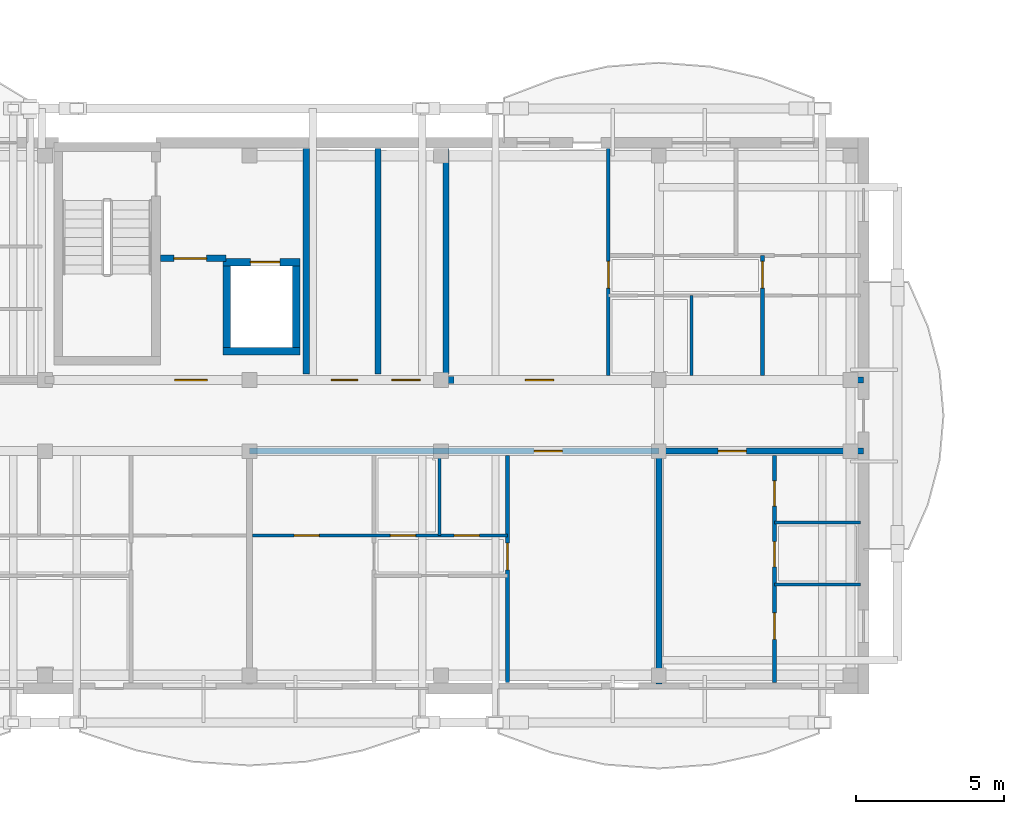
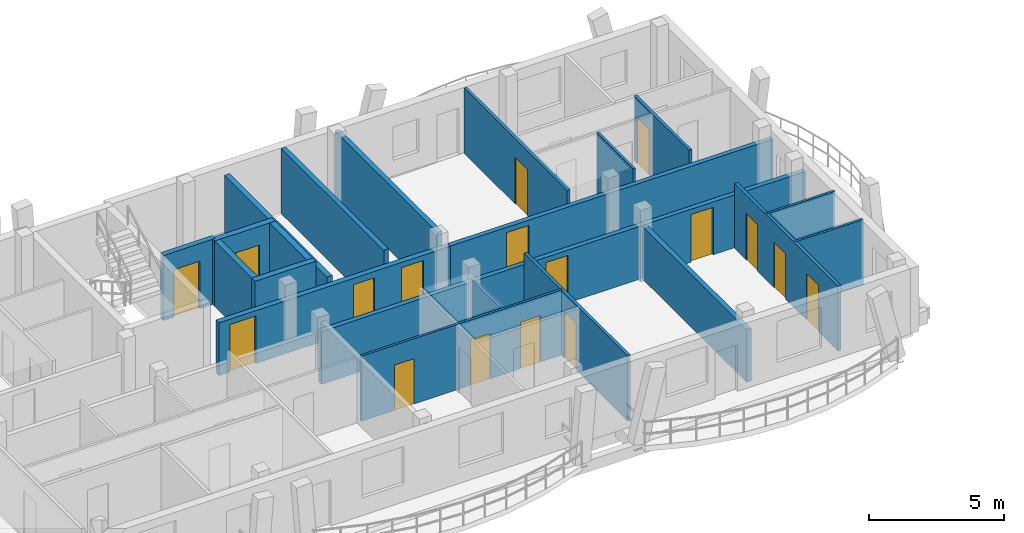
# One storey, part 18 of 48: 22 walls, 17 doors, 17 openings.
"""IFC4 building model written with IfcOpenShell, lengths in metres."""

from ifc_helpers import new_model, si_unit, direction, frame, frame_2d, origin, origin_with_axes, place, context, subcontext, project, spatial, rectangle, extrude, material, layer, layer_set, type_object, element, fill, save


model = new_model("IFC4")

# Units and contexts
model_context = context("Model", 3, precision=1e-05, world=origin(), true_north=direction((0.0, 1.0)))
body_context = subcontext(model_context, "Body", "Model", "MODEL_VIEW")
ifc_project = project(units=[si_unit("LENGTHUNIT", "METRE"), si_unit("AREAUNIT", "SQUARE_METRE"), si_unit("VOLUMEUNIT", "CUBIC_METRE"), si_unit("PLANEANGLEUNIT", "RADIAN"), si_unit("MASSUNIT", "GRAM", prefix="KILO")], contexts=[model_context])

# Site, building, storey
site_placement = place(None, origin())
site = spatial("IfcSite", under=ifc_project, at=site_placement, CompositionType="ELEMENT")
building_placement = place(site_placement, origin())
building = spatial("IfcBuilding", under=site, at=building_placement, Name="Zavelmont Quarter", CompositionType="ELEMENT")
storey_placement = place(building_placement, frame((0.0, 0.0, 17.60009765625)))
storey = spatial("IfcBuildingStorey", under=building, at=storey_placement, Name="L05", CompositionType="ELEMENT", Elevation=17.60009765625)

# Walls
ifc_material_1 = material(Name="Calcium-silicate blockwork and acoustic plaster", Category="masonry")
ifc_layer_1 = layer(ifc_material_1, 0.199951171875)
ifc_layer_set_1 = layer_set([ifc_layer_1], Name="Calcium-silicate blockwork and acoustic plaster")
wall_type_1 = type_object("IfcWallType", Name="IW01", PredefinedType="PARTITIONING", material=ifc_layer_set_1)
for number, where, z_axis, x_axis, name in (
    (1, (38.824951171875, 10.60009765625, 0.0), (0.0, 0.0, 1.0), (0.0, 1.0, 0.0), "L05 Service riser divider wall IW01"),
    (2, (41.1201171875, 10.60009765625, 0.0), (0.0, 0.0, 1.0), (0.0, 1.0, 0.0), "L05 Core service end wall IW01"),
):
    element("IfcWall", number, at=place(storey_placement, frame(where, z_axis=z_axis, x_axis=x_axis)), inside=storey, type_object=wall_type_1, Name=name, PredefinedType="PARTITIONING", context=body_context, shape_type="SweptSolid", body=[
        extrude(rectangle(XDim=7.599853515625, YDim=0.199951171875, at=frame_2d((3.7998046875, 0.0))), origin(), (0.0, 0.0, 1.0), 2.949951171875),
    ])
wall_1_placement = place(storey_placement, frame((48.300048828125, 7.85009765625, 0.0), z_axis=(0.0, 0.0, 1.0), x_axis=(0.0, -1.0, 0.0)))
element("IfcWall", 3, at=wall_1_placement, inside=storey, type_object=wall_type_1, Name="L05 Inter-dwelling compartment wall IW01", PredefinedType="PARTITIONING", context=body_context, shape_type="SweptSolid", body=[
    extrude(rectangle(XDim=7.7001953125, YDim=0.199951171875, at=frame_2d((3.85009765625, 0.0))), origin(), (0.0, 0.0, 1.0), 2.389892578125),
])

# Wall, opening, door
wall_2_placement = place(storey_placement, frame((34.5, 8.0, 0.0), z_axis=(0.0, 0.0, 1.0), x_axis=(1.0, 0.0, 0.0)))
wall_2 = element("IfcWall", 4, at=wall_2_placement, inside=storey, type_object=wall_type_1, Name="L05 Corridor compartment wall IW01", PredefinedType="PARTITIONING", context=body_context, shape_type="SweptSolid", body=[
    extrude(rectangle(XDim=13.800048828125, YDim=0.199951171875, at=frame_2d((6.89990234375, 0.0))), origin(), (0.0, 0.0, 1.0), 2.389892578125),
])
opening_1_placement = place(wall_2_placement, frame((9.60009765625, 0.0, 0.0)))
opening_1 = element("IfcOpeningElement", 5, at=opening_1_placement, cuts=wall_2, Name="Opening DR02", PredefinedType="OPENING", context=body_context, shape_type="SweptSolid", body=[
    extrude(rectangle(XDim=0.949951171875, YDim=2.14990234375, at=frame_2d((0.47509765625, 1.074951171875))), frame((0.0, 0.11181640625, 0.0), z_axis=(0.0, -1.0, 0.0), x_axis=(1.0, 0.0, 0.0)), (0.0, 0.0, 1.0), 0.223876953125),
])
ifc_material_2 = material(Name="Solid-core oak fire leaf in steel frame", Category="steel")
door_type_1 = type_object("IfcDoorType", Name="DR02", OperationType="NOTDEFINED", PredefinedType="DOOR", material=ifc_material_2)
door_1_placement = place(opening_1_placement, frame((0.949951171875, 0.0, 0.0), z_axis=(0.0, 0.0, 1.0), x_axis=(-1.0, 0.0, 0.0)))
door_1 = element("IfcDoor", 6, at=door_1_placement, inside=storey, type_object=door_type_1, Name="L05 door DR02", OperationType="SINGLE_SWING_RIGHT", OverallHeight=2.14990234375, OverallWidth=0.949951171875, PredefinedType="DOOR", context=body_context, shape_type="SweptSolid", body=[
    extrude(rectangle(XDim=0.949951171875, YDim=2.14990234375, at=frame_2d((0.47509765625, 1.074951171875))), frame((0.0, 0.02490234375, 0.0), z_axis=(0.0, -1.0, 0.0), x_axis=(1.0, 0.0, 0.0)), (0.0, 0.0, 1.0), 0.050048828125),
])
fill(opening_1, door_1)

wall_3_placement = place(storey_placement, frame((48.300048828125, 8.0, 0.0), z_axis=(0.0, 0.0, 1.0), x_axis=(1.0, 0.0, 0.0)))
wall_3 = element("IfcWall", 7, at=wall_3_placement, inside=storey, type_object=wall_type_1, Name="L05 Corridor compartment wall IW01", PredefinedType="PARTITIONING", context=body_context, shape_type="SweptSolid", body=[
    extrude(rectangle(XDim=6.89990234375, YDim=0.199951171875, at=frame_2d((3.449951171875, 0.0))), origin(), (0.0, 0.0, 1.0), 2.389892578125),
])
opening_2_placement = place(wall_3_placement, frame((2.0, 0.0, 0.0)))
opening_2 = element("IfcOpeningElement", 8, at=opening_2_placement, cuts=wall_3, Name="Opening DR02", PredefinedType="OPENING", context=body_context, shape_type="SweptSolid", body=[
    extrude(rectangle(XDim=0.949951171875, YDim=2.14990234375, at=frame_2d((0.47509765625, 1.074951171875))), frame((0.0, 0.11181640625, 0.0), z_axis=(0.0, -1.0, 0.0), x_axis=(1.0, 0.0, 0.0)), (0.0, 0.0, 1.0), 0.223876953125),
])
door_2_placement = place(opening_2_placement, frame((0.949951171875, 0.0, 0.0), z_axis=(0.0, 0.0, 1.0), x_axis=(-1.0, 0.0, 0.0)))
door_2 = element("IfcDoor", 9, at=door_2_placement, inside=storey, type_object=door_type_1, Name="L05 door DR02", OperationType="SINGLE_SWING_RIGHT", OverallHeight=2.14990234375, OverallWidth=0.949951171875, PredefinedType="DOOR", context=body_context, shape_type="SweptSolid", body=[
    extrude(rectangle(XDim=0.949951171875, YDim=2.14990234375, at=frame_2d((0.47509765625, 1.074951171875))), frame((0.0, 0.02490234375, 0.0), z_axis=(0.0, -1.0, 0.0), x_axis=(1.0, 0.0, 0.0)), (0.0, 0.0, 1.0), 0.050048828125),
])
fill(opening_2, door_2)

wall_4_placement = place(storey_placement, frame((41.39990234375, 10.39990234375, 0.0), z_axis=(0.0, 0.0, 1.0), x_axis=(1.0, 0.0, 0.0)))
wall_4 = element("IfcWall", 10, at=wall_4_placement, inside=storey, type_object=wall_type_1, Name="L05 Corridor compartment wall IW01", PredefinedType="PARTITIONING", context=body_context, shape_type="SweptSolid", body=[
    extrude(rectangle(XDim=13.800048828125, YDim=0.199951171875, at=frame_2d((6.89990234375, 0.0))), origin(), (0.0, 0.0, 1.0), 2.389892578125),
])
opening_3_placement = place(wall_4_placement, frame((2.39990234375, 0.0, 0.0)))
opening_3 = element("IfcOpeningElement", 11, at=opening_3_placement, cuts=wall_4, Name="Opening DR02", PredefinedType="OPENING", context=body_context, shape_type="SweptSolid", body=[
    extrude(rectangle(XDim=0.949951171875, YDim=2.14990234375, at=frame_2d((0.47509765625, 1.074951171875))), frame((0.0, 0.11181640625, 0.0), z_axis=(0.0, -1.0, 0.0), x_axis=(1.0, 0.0, 0.0)), (0.0, 0.0, 1.0), 0.223876953125),
])
door_3_placement = place(opening_3_placement, origin_with_axes())
door_3 = element("IfcDoor", 12, at=door_3_placement, inside=storey, type_object=door_type_1, Name="L05 door DR02", OperationType="SINGLE_SWING_LEFT", OverallHeight=2.14990234375, OverallWidth=0.949951171875, PredefinedType="DOOR", context=body_context, shape_type="SweptSolid", body=[
    extrude(rectangle(XDim=0.949951171875, YDim=2.14990234375, at=frame_2d((0.47509765625, 1.074951171875))), frame((0.0, 0.02490234375, 0.0), z_axis=(0.0, -1.0, 0.0), x_axis=(1.0, 0.0, 0.0)), (0.0, 0.0, 1.0), 0.050048828125),
])
fill(opening_3, door_3)

# Wall
ifc_material_3 = material(Name="Reinforced masonry fire compartment wall", Category="masonry")
ifc_layer_2 = layer(ifc_material_3, 0.22509765625)
ifc_layer_set_2 = layer_set([ifc_layer_2], Name="Reinforced masonry fire compartment wall")
wall_type_2 = type_object("IfcWallType", Name="IW02", PredefinedType="PARTITIONING", material=ifc_layer_set_2)
wall_5_placement = place(storey_placement, frame((36.409912109375, 10.60009765625, 0.0), z_axis=(0.0, 0.0, 1.0), x_axis=(0.0, 1.0, 0.0)))
element("IfcWall", 13, at=wall_5_placement, inside=storey, type_object=wall_type_2, Name="L05 Firefighting lobby enclosure wall IW02", PredefinedType="PARTITIONING", context=body_context, shape_type="SweptSolid", body=[
    extrude(rectangle(XDim=7.599853515625, YDim=0.22509765625, at=frame_2d((3.7998046875, 0.0))), origin(), (0.0, 0.0, 1.0), 2.58984375),
])

# Wall, opening, door
wall_6_placement = place(storey_placement, frame((31.5, 14.5, 0.0), z_axis=(0.0, 0.0, 1.0), x_axis=(1.0, 0.0, 0.0)))
wall_6 = element("IfcWall", 14, at=wall_6_placement, inside=storey, type_object=wall_type_2, Name="L05 Firefighting lobby threshold wall IW02", PredefinedType="PARTITIONING", context=body_context, shape_type="SweptSolid", body=[
    extrude(rectangle(XDim=2.199951171875, YDim=0.22509765625, at=frame_2d((1.10009765625, 0.0))), origin(), (0.0, 0.0, 1.0), 2.949951171875),
])
opening_4_placement = place(wall_6_placement, frame((0.449951171875, 0.0, 0.0)))
opening_4 = element("IfcOpeningElement", 15, at=opening_4_placement, cuts=wall_6, Name="Opening DR10", PredefinedType="OPENING", context=body_context, shape_type="SweptSolid", body=[
    extrude(rectangle(XDim=1.10009765625, YDim=2.14990234375, at=frame_2d((0.550048828125, 1.074951171875))), frame((0.0, 0.12451171875, 0.0), z_axis=(0.0, -1.0, 0.0), x_axis=(1.0, 0.0, 0.0)), (0.0, 0.0, 1.0), 0.2490234375),
])
ifc_material_4 = material(Name="Painted steel lobby fire door", Category="steel")
door_type_2 = type_object("IfcDoorType", Name="DR10", OperationType="NOTDEFINED", PredefinedType="DOOR", material=ifc_material_4)
door_4_placement = place(opening_4_placement, origin_with_axes())
door_4 = element("IfcDoor", 16, at=door_4_placement, inside=storey, type_object=door_type_2, Name="Firefighting lobby fire door", OperationType="SINGLE_SWING_RIGHT", OverallHeight=2.14990234375, OverallWidth=1.10009765625, PredefinedType="DOOR", context=body_context, shape_type="SweptSolid", body=[
    extrude(rectangle(XDim=1.10009765625, YDim=2.14990234375, at=frame_2d((0.550048828125, 1.074951171875))), frame((0.0, 0.02490234375, 0.0), z_axis=(0.0, -1.0, 0.0), x_axis=(1.0, 0.0, 0.0)), (0.0, 0.0, 1.0), 0.050048828125),
])
fill(opening_4, door_4)

# Wall, openings, doors
wall_7_placement = place(storey_placement, frame((31.5, 10.39990234375, 0.0), z_axis=(0.0, 0.0, 1.0), x_axis=(1.0, 0.0, 0.0)))
wall_7 = element("IfcWall", 17, at=wall_7_placement, inside=storey, type_object=wall_type_2, Name="L05 Core corridor fire wall IW02", PredefinedType="PARTITIONING", context=body_context, shape_type="SweptSolid", body=[
    extrude(rectangle(XDim=9.89990234375, YDim=0.22509765625, at=frame_2d((4.949951171875, 0.0))), origin(), (0.0, 0.0, 1.0), 2.389892578125),
])
opening_5_placement = place(wall_7_placement, frame((0.47509765625, 0.0, 0.0)))
opening_5 = element("IfcOpeningElement", 18, at=opening_5_placement, cuts=wall_7, Name="Opening DR10", PredefinedType="OPENING", context=body_context, shape_type="SweptSolid", body=[
    extrude(rectangle(XDim=1.10009765625, YDim=2.14990234375, at=frame_2d((0.550048828125, 1.074951171875))), frame((0.0, 0.12451171875, 0.0), z_axis=(0.0, -1.0, 0.0), x_axis=(1.0, 0.0, 0.0)), (0.0, 0.0, 1.0), 0.2490234375),
])
opening_6_placement = place(wall_7_placement, frame((5.75, 0.0, 0.0)))
opening_6 = element("IfcOpeningElement", 19, at=opening_6_placement, cuts=wall_7, Name="Opening DR11", PredefinedType="OPENING", context=body_context, shape_type="SweptSolid", body=[
    extrude(rectangle(XDim=0.89990234375, YDim=2.10009765625, at=frame_2d((0.449951171875, 1.050048828125))), frame((0.0, 0.12451171875, 0.0), z_axis=(0.0, -1.0, 0.0), x_axis=(1.0, 0.0, 0.0)), (0.0, 0.0, 1.0), 0.2490234375),
])
opening_7_placement = place(wall_7_placement, frame((7.800048828125, 0.0, 0.0)))
opening_7 = element("IfcOpeningElement", 20, at=opening_7_placement, cuts=wall_7, Name="Opening DR02", PredefinedType="OPENING", context=body_context, shape_type="SweptSolid", body=[
    extrude(rectangle(XDim=0.949951171875, YDim=2.14990234375, at=frame_2d((0.47509765625, 1.074951171875))), frame((0.0, 0.12451171875, 0.0), z_axis=(0.0, -1.0, 0.0), x_axis=(1.0, 0.0, 0.0)), (0.0, 0.0, 1.0), 0.2490234375),
])
door_5_placement = place(opening_7_placement, frame((0.949951171875, 0.0, 0.0), z_axis=(0.0, 0.0, 1.0), x_axis=(-1.0, 0.0, 0.0)))
door_5 = element("IfcDoor", 21, at=door_5_placement, inside=storey, type_object=door_type_1, Name="Auxiliary store corridor door", OperationType="SINGLE_SWING_RIGHT", OverallHeight=2.14990234375, OverallWidth=0.949951171875, PredefinedType="DOOR", context=body_context, shape_type="SweptSolid", body=[
    extrude(rectangle(XDim=0.949951171875, YDim=2.14990234375, at=frame_2d((0.47509765625, 1.074951171875))), frame((0.0, 0.02490234375, 0.0), z_axis=(0.0, -1.0, 0.0), x_axis=(1.0, 0.0, 0.0)), (0.0, 0.0, 1.0), 0.050048828125),
])
fill(opening_7, door_5)
door_6_placement = place(opening_5_placement, origin_with_axes())
door_6 = element("IfcDoor", 22, at=door_6_placement, inside=storey, type_object=door_type_2, Name="Core vestibule fire door", OperationType="SINGLE_SWING_LEFT", OverallHeight=2.14990234375, OverallWidth=1.10009765625, PredefinedType="DOOR", context=body_context, shape_type="SweptSolid", body=[
    extrude(rectangle(XDim=1.10009765625, YDim=2.14990234375, at=frame_2d((0.550048828125, 1.074951171875))), frame((0.0, 0.02490234375, 0.0), z_axis=(0.0, -1.0, 0.0), x_axis=(1.0, 0.0, 0.0)), (0.0, 0.0, 1.0), 0.050048828125),
])
fill(opening_5, door_6)
ifc_material_5 = material(Name="Painted steel service-riser fire door", Category="steel")
door_type_3 = type_object("IfcDoorType", Name="DR11", OperationType="NOTDEFINED", PredefinedType="DOOR", material=ifc_material_5)
door_7_placement = place(opening_6_placement, frame((0.89990234375, 0.0, 0.0), z_axis=(0.0, 0.0, 1.0), x_axis=(-1.0, 0.0, 0.0)))
door_7 = element("IfcDoor", 23, at=door_7_placement, inside=storey, type_object=door_type_3, Name="Service riser fire door", OperationType="SINGLE_SWING_LEFT", OverallHeight=2.10009765625, OverallWidth=0.89990234375, PredefinedType="DOOR", context=body_context, shape_type="SweptSolid", body=[
    extrude(rectangle(XDim=0.89990234375, YDim=2.10009765625, at=frame_2d((0.449951171875, 1.050048828125))), frame((0.0, 0.02490234375, 0.0), z_axis=(0.0, -1.0, 0.0), x_axis=(1.0, 0.0, 0.0)), (0.0, 0.0, 1.0), 0.050048828125),
])
fill(opening_6, door_7)

# Wall, opening, door
ifc_material_6 = material(Name="Double gypsum board on acoustic steel stud", Category="steel")
ifc_layer_3 = layer(ifc_material_6, 0.125)
ifc_layer_set_3 = layer_set([ifc_layer_3], Name="Double gypsum board on acoustic steel stud")
wall_type_3 = type_object("IfcWallType", Name="IW03", PredefinedType="PARTITIONING", material=ifc_layer_set_3)
wall_8_placement = place(storey_placement, frame((43.199951171875, 7.85009765625, 0.0), z_axis=(0.0, 0.0, 1.0), x_axis=(0.0, -1.0, 0.0)))
wall_8 = element("IfcWall", 24, at=wall_8_placement, inside=storey, type_object=wall_type_3, Name="L05 Partition IW03", PredefinedType="PARTITIONING", context=body_context, shape_type="SweptSolid", body=[
    extrude(rectangle(XDim=7.650146484375, YDim=0.125, at=frame_2d((3.8251953125, 0.0))), origin(), (0.0, 0.0, 1.0), 2.949951171875),
])
opening_8_placement = place(wall_8_placement, frame((2.949951171875, 0.0, 0.0)))
opening_8 = element("IfcOpeningElement", 25, at=opening_8_placement, cuts=wall_8, Name="Opening DR05", PredefinedType="OPENING", context=body_context, shape_type="SweptSolid", body=[
    extrude(rectangle(XDim=0.89990234375, YDim=2.10009765625, at=frame_2d((0.449951171875, 1.050048828125))), frame((0.0, 0.074462890625, 0.0), z_axis=(0.0, -1.0, 0.0), x_axis=(1.0, 0.0, 0.0)), (0.0, 0.0, 1.0), 0.14892578125),
])
ifc_material_7 = material(Name="Engineered oak flush interior door")
door_type_4 = type_object("IfcDoorType", Name="DR05", OperationType="NOTDEFINED", PredefinedType="DOOR", material=ifc_material_7)
door_8_placement = place(opening_8_placement, frame((0.89990234375, 0.0, 0.0), z_axis=(0.0, 0.0, 1.0), x_axis=(-1.0, 0.0, 0.0)))
door_8 = element("IfcDoor", 26, at=door_8_placement, inside=storey, type_object=door_type_4, Name="L05 door DR05", OperationType="SINGLE_SWING_RIGHT", OverallHeight=2.10009765625, OverallWidth=0.89990234375, PredefinedType="DOOR", context=body_context, shape_type="SweptSolid", body=[
    extrude(rectangle(XDim=0.89990234375, YDim=2.10009765625, at=frame_2d((0.449951171875, 1.050048828125))), frame((0.0, 0.02490234375, 0.0), z_axis=(0.0, -1.0, 0.0), x_axis=(1.0, 0.0, 0.0)), (0.0, 0.0, 1.0), 0.050048828125),
])
fill(opening_8, door_8)

# Wall, openings, doors
wall_9_placement = place(storey_placement, frame((52.199951171875, 7.85009765625, 0.0), z_axis=(0.0, 0.0, 1.0), x_axis=(0.0, -1.0, 0.0)))
wall_9 = element("IfcWall", 27, at=wall_9_placement, inside=storey, type_object=wall_type_3, Name="L05 Partition IW03", PredefinedType="PARTITIONING", context=body_context, shape_type="SweptSolid", body=[
    extrude(rectangle(XDim=7.650146484375, YDim=0.125, at=frame_2d((3.8251953125, 0.0))), origin(), (0.0, 0.0, 1.0), 2.949951171875),
])
opening_9_placement = place(wall_9_placement, frame((0.85009765625, 0.0, 0.0)))
opening_9 = element("IfcOpeningElement", 28, at=opening_9_placement, cuts=wall_9, Name="Opening DR16", PredefinedType="OPENING", context=body_context, shape_type="SweptSolid", body=[
    extrude(rectangle(XDim=0.85009765625, YDim=2.10009765625, at=frame_2d((0.425048828125, 1.050048828125))), frame((0.0, 0.074462890625, 0.0), z_axis=(0.0, -1.0, 0.0), x_axis=(1.0, 0.0, 0.0)), (0.0, 0.0, 1.0), 0.14892578125),
])
opening_10_placement = place(wall_9_placement, frame((2.89990234375, 0.0, 0.0)))
opening_10 = element("IfcOpeningElement", 29, at=opening_10_placement, cuts=wall_9, Name="Opening DR06", PredefinedType="OPENING", context=body_context, shape_type="SweptSolid", body=[
    extrude(rectangle(XDim=0.85009765625, YDim=2.050048828125, at=frame_2d((0.425048828125, 1.02490234375))), frame((0.0, 0.074462890625, 0.0), z_axis=(0.0, -1.0, 0.0), x_axis=(1.0, 0.0, 0.0)), (0.0, 0.0, 1.0), 0.14892578125),
])
opening_11_placement = place(wall_9_placement, frame((5.300048828125, 0.0, 0.0)))
opening_11 = element("IfcOpeningElement", 30, at=opening_11_placement, cuts=wall_9, Name="Opening DR05", PredefinedType="OPENING", context=body_context, shape_type="SweptSolid", body=[
    extrude(rectangle(XDim=0.89990234375, YDim=2.10009765625, at=frame_2d((0.449951171875, 1.050048828125))), frame((0.0, 0.074462890625, 0.0), z_axis=(0.0, -1.0, 0.0), x_axis=(1.0, 0.0, 0.0)), (0.0, 0.0, 1.0), 0.14892578125),
])
door_9_placement = place(opening_11_placement, origin_with_axes())
door_9 = element("IfcDoor", 31, at=door_9_placement, inside=storey, type_object=door_type_4, Name="L05 door DR05", OperationType="SINGLE_SWING_RIGHT", OverallHeight=2.10009765625, OverallWidth=0.89990234375, PredefinedType="DOOR", context=body_context, shape_type="SweptSolid", body=[
    extrude(rectangle(XDim=0.89990234375, YDim=2.10009765625, at=frame_2d((0.449951171875, 1.050048828125))), frame((0.0, 0.02490234375, 0.0), z_axis=(0.0, -1.0, 0.0), x_axis=(1.0, 0.0, 0.0)), (0.0, 0.0, 1.0), 0.050048828125),
])
fill(opening_11, door_9)
ifc_material_8 = material(Name="Moisture-resistant painted wet-room door")
door_type_5 = type_object("IfcDoorType", Name="DR06", OperationType="NOTDEFINED", PredefinedType="DOOR", material=ifc_material_8)
door_10_placement = place(opening_10_placement, frame((0.85009765625, 0.0, 0.0), z_axis=(0.0, 0.0, 1.0), x_axis=(-1.0, 0.0, 0.0)))
door_10 = element("IfcDoor", 32, at=door_10_placement, inside=storey, type_object=door_type_5, Name="L05 door DR06", OperationType="SINGLE_SWING_LEFT", OverallHeight=2.050048828125, OverallWidth=0.85009765625, PredefinedType="DOOR", context=body_context, shape_type="SweptSolid", body=[
    extrude(rectangle(XDim=0.85009765625, YDim=2.050048828125, at=frame_2d((0.425048828125, 1.02490234375))), frame((0.0, 0.02490234375, 0.0), z_axis=(0.0, -1.0, 0.0), x_axis=(1.0, 0.0, 0.0)), (0.0, 0.0, 1.0), 0.050048828125),
])
fill(opening_10, door_10)
door_type_6 = type_object("IfcDoorType", Name="DR16", OperationType="NOTDEFINED", PredefinedType="DOOR", material=ifc_material_7)
door_11_placement = place(opening_9_placement, origin_with_axes())
door_11 = element("IfcDoor", 33, at=door_11_placement, inside=storey, type_object=door_type_6, Name="L05 door DR16", OperationType="SINGLE_SWING_RIGHT", OverallHeight=2.10009765625, OverallWidth=0.85009765625, PredefinedType="DOOR", context=body_context, shape_type="SweptSolid", body=[
    extrude(rectangle(XDim=0.85009765625, YDim=2.10009765625, at=frame_2d((0.425048828125, 1.050048828125))), frame((0.0, 0.02490234375, 0.0), z_axis=(0.0, -1.0, 0.0), x_axis=(1.0, 0.0, 0.0)), (0.0, 0.0, 1.0), 0.050048828125),
])
fill(opening_9, door_11)

# Wall, opening, door
wall_10_placement = place(storey_placement, frame((46.60009765625, 10.550048828125, 0.0), z_axis=(0.0, 0.0, 1.0), x_axis=(0.0, 1.0, 0.0)))
wall_10 = element("IfcWall", 34, at=wall_10_placement, inside=storey, type_object=wall_type_3, Name="L05 Partition IW03", PredefinedType="PARTITIONING", context=body_context, shape_type="SweptSolid", body=[
    extrude(rectangle(XDim=7.64990234375, YDim=0.125, at=frame_2d((3.824951171875, 0.0))), origin(), (0.0, 0.0, 1.0), 2.949951171875),
])
opening_12_placement = place(wall_10_placement, frame((2.949951171875, 0.0, 0.0)))
opening_12 = element("IfcOpeningElement", 35, at=opening_12_placement, cuts=wall_10, Name="Opening DR05", PredefinedType="OPENING", context=body_context, shape_type="SweptSolid", body=[
    extrude(rectangle(XDim=0.89990234375, YDim=2.10009765625, at=frame_2d((0.449951171875, 1.050048828125))), frame((0.0, 0.074462890625, 0.0), z_axis=(0.0, -1.0, 0.0), x_axis=(1.0, 0.0, 0.0)), (0.0, 0.0, 1.0), 0.14892578125),
])
door_12_placement = place(opening_12_placement, origin_with_axes())
door_12 = element("IfcDoor", 36, at=door_12_placement, inside=storey, type_object=door_type_4, Name="L05 door DR05", OperationType="SINGLE_SWING_LEFT", OverallHeight=2.10009765625, OverallWidth=0.89990234375, PredefinedType="DOOR", context=body_context, shape_type="SweptSolid", body=[
    extrude(rectangle(XDim=0.89990234375, YDim=2.10009765625, at=frame_2d((0.449951171875, 1.050048828125))), frame((0.0, 0.02490234375, 0.0), z_axis=(0.0, -1.0, 0.0), x_axis=(1.0, 0.0, 0.0)), (0.0, 0.0, 1.0), 0.050048828125),
])
fill(opening_12, door_12)

wall_11_placement = place(storey_placement, frame((51.800048828125, 10.550048828125, 0.0), z_axis=(0.0, 0.0, 1.0), x_axis=(0.0, 1.0, 0.0)))
wall_11 = element("IfcWall", 37, at=wall_11_placement, inside=storey, type_object=wall_type_3, Name="L05 Partition IW03", PredefinedType="PARTITIONING", context=body_context, shape_type="SweptSolid", body=[
    extrude(rectangle(XDim=4.050048828125, YDim=0.125, at=frame_2d((2.02490234375, 0.0))), origin(), (0.0, 0.0, 1.0), 2.949951171875),
])
opening_13_placement = place(wall_11_placement, frame((2.949951171875, 0.0, 0.0)))
opening_13 = element("IfcOpeningElement", 38, at=opening_13_placement, cuts=wall_11, Name="Opening DR05", PredefinedType="OPENING", context=body_context, shape_type="SweptSolid", body=[
    extrude(rectangle(XDim=0.89990234375, YDim=2.10009765625, at=frame_2d((0.449951171875, 1.050048828125))), frame((0.0, 0.074462890625, 0.0), z_axis=(0.0, -1.0, 0.0), x_axis=(1.0, 0.0, 0.0)), (0.0, 0.0, 1.0), 0.14892578125),
])
door_13_placement = place(opening_13_placement, frame((0.89990234375, 0.0, 0.0), z_axis=(0.0, 0.0, 1.0), x_axis=(-1.0, 0.0, 0.0)))
door_13 = element("IfcDoor", 39, at=door_13_placement, inside=storey, type_object=door_type_4, Name="L05 door DR05", OperationType="SINGLE_SWING_RIGHT", OverallHeight=2.10009765625, OverallWidth=0.89990234375, PredefinedType="DOOR", context=body_context, shape_type="SweptSolid", body=[
    extrude(rectangle(XDim=0.89990234375, YDim=2.10009765625, at=frame_2d((0.449951171875, 1.050048828125))), frame((0.0, 0.02490234375, 0.0), z_axis=(0.0, -1.0, 0.0), x_axis=(1.0, 0.0, 0.0)), (0.0, 0.0, 1.0), 0.050048828125),
])
fill(opening_13, door_13)

# Wall
ifc_material_9 = material(Name="Moisture-resistant gypsum board on steel stud", Category="steel")
ifc_layer_4 = layer(ifc_material_9, 0.10009765625)
ifc_layer_set_4 = layer_set([ifc_layer_4], Name="Moisture-resistant gypsum board on steel stud")
wall_type_4 = type_object("IfcWallType", Name="IW04", PredefinedType="PARTITIONING", material=ifc_layer_set_4)
wall_12_placement = place(storey_placement, frame((40.89990234375, 7.85009765625, 0.0), z_axis=(0.0, 0.0, 1.0), x_axis=(0.0, -1.0, 0.0)))
element("IfcWall", 40, at=wall_12_placement, inside=storey, type_object=wall_type_4, Name="L05 Partition IW04", PredefinedType="PARTITIONING", context=body_context, shape_type="SweptSolid", body=[
    extrude(rectangle(XDim=2.7001953125, YDim=0.10009765625, at=frame_2d((1.35009765625, 0.0))), origin(), (0.0, 0.0, 1.0), 2.58984375),
])

# Wall, openings, doors
wall_13_placement = place(storey_placement, frame((34.60009765625, 5.14990234375, 0.0), z_axis=(0.0, 0.0, 1.0), x_axis=(1.0, 0.0, 0.0)))
wall_13 = element("IfcWall", 41, at=wall_13_placement, inside=storey, type_object=wall_type_4, Name="L05 Partition IW04", PredefinedType="PARTITIONING", context=body_context, shape_type="SweptSolid", body=[
    extrude(rectangle(XDim=8.599853515625, YDim=0.10009765625, at=frame_2d((4.2998046875, 0.0))), origin(), (0.0, 0.0, 1.0), 2.949951171875),
])
opening_14_placement = place(wall_13_placement, frame((1.39990234375, 0.0, 0.0)))
opening_14 = element("IfcOpeningElement", 42, at=opening_14_placement, cuts=wall_13, Name="Opening DR06", PredefinedType="OPENING", context=body_context, shape_type="SweptSolid", body=[
    extrude(rectangle(XDim=0.85009765625, YDim=2.050048828125, at=frame_2d((0.425048828125, 1.02490234375))), frame((0.0, 0.06201171875, 0.0), z_axis=(0.0, -1.0, 0.0), x_axis=(1.0, 0.0, 0.0)), (0.0, 0.0, 1.0), 0.1240234375),
])
opening_15_placement = place(wall_13_placement, frame((4.64990234375, 0.0, 0.0)))
opening_15 = element("IfcOpeningElement", 43, at=opening_15_placement, cuts=wall_13, Name="Opening DR06", PredefinedType="OPENING", context=body_context, shape_type="SweptSolid", body=[
    extrude(rectangle(XDim=0.85009765625, YDim=2.050048828125, at=frame_2d((0.425048828125, 1.02490234375))), frame((0.0, 0.06201171875, 0.0), z_axis=(0.0, -1.0, 0.0), x_axis=(1.0, 0.0, 0.0)), (0.0, 0.0, 1.0), 0.1240234375),
])
opening_16_placement = place(wall_13_placement, frame((6.800048828125, 0.0, 0.0)))
opening_16 = element("IfcOpeningElement", 44, at=opening_16_placement, cuts=wall_13, Name="Opening DR16", PredefinedType="OPENING", context=body_context, shape_type="SweptSolid", body=[
    extrude(rectangle(XDim=0.85009765625, YDim=2.10009765625, at=frame_2d((0.425048828125, 1.050048828125))), frame((0.0, 0.06201171875, 0.0), z_axis=(0.0, -1.0, 0.0), x_axis=(1.0, 0.0, 0.0)), (0.0, 0.0, 1.0), 0.1240234375),
])
door_14_placement = place(opening_14_placement, frame((0.85009765625, 0.0, 0.0), z_axis=(0.0, 0.0, 1.0), x_axis=(-1.0, 0.0, 0.0)))
door_14 = element("IfcDoor", 45, at=door_14_placement, inside=storey, type_object=door_type_5, Name="L05 door DR06", OperationType="SINGLE_SWING_RIGHT", OverallHeight=2.050048828125, OverallWidth=0.85009765625, PredefinedType="DOOR", context=body_context, shape_type="SweptSolid", body=[
    extrude(rectangle(XDim=0.85009765625, YDim=2.050048828125, at=frame_2d((0.425048828125, 1.02490234375))), frame((0.0, 0.02490234375, 0.0), z_axis=(0.0, -1.0, 0.0), x_axis=(1.0, 0.0, 0.0)), (0.0, 0.0, 1.0), 0.050048828125),
])
fill(opening_14, door_14)
door_15_placement = place(opening_15_placement, origin_with_axes())
door_15 = element("IfcDoor", 46, at=door_15_placement, inside=storey, type_object=door_type_5, Name="L05 door DR06", OperationType="SINGLE_SWING_LEFT", OverallHeight=2.050048828125, OverallWidth=0.85009765625, PredefinedType="DOOR", context=body_context, shape_type="SweptSolid", body=[
    extrude(rectangle(XDim=0.85009765625, YDim=2.050048828125, at=frame_2d((0.425048828125, 1.02490234375))), frame((0.0, 0.02490234375, 0.0), z_axis=(0.0, -1.0, 0.0), x_axis=(1.0, 0.0, 0.0)), (0.0, 0.0, 1.0), 0.050048828125),
])
fill(opening_15, door_15)
door_16_placement = place(opening_16_placement, frame((0.85009765625, 0.0, 0.0), z_axis=(0.0, 0.0, 1.0), x_axis=(-1.0, 0.0, 0.0)))
door_16 = element("IfcDoor", 47, at=door_16_placement, inside=storey, type_object=door_type_6, Name="L05 door DR16", OperationType="SINGLE_SWING_RIGHT", OverallHeight=2.10009765625, OverallWidth=0.85009765625, PredefinedType="DOOR", context=body_context, shape_type="SweptSolid", body=[
    extrude(rectangle(XDim=0.85009765625, YDim=2.10009765625, at=frame_2d((0.425048828125, 1.050048828125))), frame((0.0, 0.02490234375, 0.0), z_axis=(0.0, -1.0, 0.0), x_axis=(1.0, 0.0, 0.0)), (0.0, 0.0, 1.0), 0.050048828125),
])
fill(opening_16, door_16)

# Walls
for number, where, z_axis, x_axis, name in (
    (48, (52.199951171875, 5.60009765625, 0.0), (0.0, 0.0, 1.0), (1.0, 0.0, 0.0), "L05 Partition IW04"),
    (49, (52.199951171875, 3.5, 0.0), (0.0, 0.0, 1.0), (1.0, 0.0, 0.0), "L05 Partition IW04"),
):
    element("IfcWall", number, at=place(storey_placement, frame(where, z_axis=z_axis, x_axis=x_axis)), inside=storey, type_object=wall_type_4, Name=name, PredefinedType="PARTITIONING", context=body_context, shape_type="SweptSolid", body=[
        extrude(rectangle(XDim=2.900146484375, YDim=0.10009765625, at=frame_2d((1.4501953125, 0.0))), origin(), (0.0, 0.0, 1.0), 2.949951171875),
    ])
wall_14_placement = place(storey_placement, frame((49.39990234375, 10.550048828125, 0.0), z_axis=(0.0, 0.0, 1.0), x_axis=(0.0, 1.0, 0.0)))
element("IfcWall", 50, at=wall_14_placement, inside=storey, type_object=wall_type_4, Name="L05 Partition IW04", PredefinedType="PARTITIONING", context=body_context, shape_type="SweptSolid", body=[
    extrude(rectangle(XDim=2.699951171875, YDim=0.10009765625, at=frame_2d((1.35009765625, 0.0))), origin(), (0.0, 0.0, 1.0), 2.949951171875),
])

# Wall, opening, door
ifc_material_10 = material(Name="Concrete C40/50", Category="concrete")
ifc_layer_5 = layer(ifc_material_10, 0.25)
ifc_layer_set_5 = layer_set([ifc_layer_5], Name="Concrete C40/50")
wall_type_5 = type_object("IfcWallType", Name="SW02", PredefinedType="SHEAR", material=ifc_layer_set_5)
wall_15_placement = place(storey_placement, frame((33.60009765625, 14.375, 0.0), z_axis=(0.0, 0.0, 1.0), x_axis=(1.0, 0.0, 0.0)))
wall_15 = element("IfcWall", 51, at=wall_15_placement, inside=storey, type_object=wall_type_5, Name="L05 Lift LF02 landing shaft wall SW02", PredefinedType="SHEAR", context=body_context, shape_type="SweptSolid", body=[
    extrude(rectangle(XDim=2.599853515625, YDim=0.25, at=frame_2d((1.2998046875, 0.0))), origin(), (0.0, 0.0, 1.0), 2.949951171875),
])
opening_17_placement = place(wall_15_placement, frame((0.925048828125, 0.0, 0.0)))
opening_17 = element("IfcOpeningElement", 52, at=opening_17_placement, cuts=wall_15, Name="Opening LD01", PredefinedType="OPENING", context=body_context, shape_type="SweptSolid", body=[
    extrude(rectangle(XDim=1.0, YDim=2.10009765625, at=frame_2d((0.5, 1.050048828125))), frame((0.0, 0.136962890625, 0.0), z_axis=(0.0, -1.0, 0.0), x_axis=(1.0, 0.0, 0.0)), (0.0, 0.0, 1.0), 0.27392578125),
])
ifc_material_11 = material(Name="Brushed stainless-steel automatic sliding landing door", Category="steel")
door_type_7 = type_object("IfcDoorType", Name="LD01", OperationType="SLIDING_TO_LEFT", PredefinedType="DOOR", material=ifc_material_11)
door_17_placement = place(opening_17_placement, origin_with_axes())
door_17 = element("IfcDoor", 53, at=door_17_placement, inside=storey, type_object=door_type_7, Name="Lift LF02 sliding landing door", OperationType="SLIDING_TO_LEFT", OverallHeight=2.10009765625, OverallWidth=1.0, PredefinedType="DOOR", context=body_context, shape_type="SweptSolid", body=[
    extrude(rectangle(XDim=1.0, YDim=2.10009765625, at=frame_2d((0.5, 1.050048828125))), frame((0.0, 0.02490234375, 0.0), z_axis=(0.0, -1.0, 0.0), x_axis=(1.0, 0.0, 0.0)), (0.0, 0.0, 1.0), 0.050048828125),
])
fill(opening_17, door_17)

# Walls
wall_16_placement = place(storey_placement, frame((33.60009765625, 11.375, 0.0), z_axis=(0.0, 0.0, 1.0), x_axis=(1.0, 0.0, 0.0)))
element("IfcWall", 54, at=wall_16_placement, inside=storey, type_object=wall_type_5, Name="L05 Lift LF02 back shaft wall SW02", PredefinedType="SHEAR", context=body_context, shape_type="SweptSolid", body=[
    extrude(rectangle(XDim=2.599853515625, YDim=0.25, at=frame_2d((1.2998046875, 0.0))), origin(), (0.0, 0.0, 1.0), 2.949951171875),
])
for number, where, z_axis, x_axis, name in (
    (55, (33.72509765625, 11.25, 0.0), (0.0, 0.0, 1.0), (0.0, 1.0, 0.0), "L05 Lift LF02 west shaft wall SW02"),
    (56, (36.074951171875, 11.25, 0.0), (0.0, 0.0, 1.0), (0.0, 1.0, 0.0), "L05 Lift LF02 east shaft wall SW02"),
):
    element("IfcWall", number, at=place(storey_placement, frame(where, z_axis=z_axis, x_axis=x_axis)), inside=storey, type_object=wall_type_5, Name=name, PredefinedType="SHEAR", context=body_context, shape_type="SweptSolid", body=[
        extrude(rectangle(XDim=3.25, YDim=0.25, at=frame_2d((1.625, 0.0))), origin(), (0.0, 0.0, 1.0), 2.949951171875),
    ])

save(model, "model.ifc")
